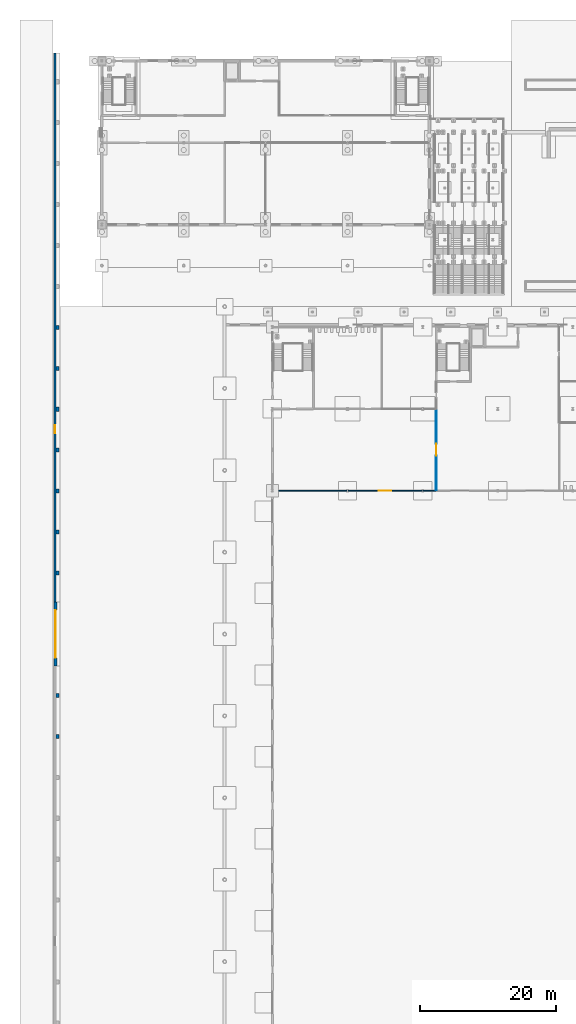
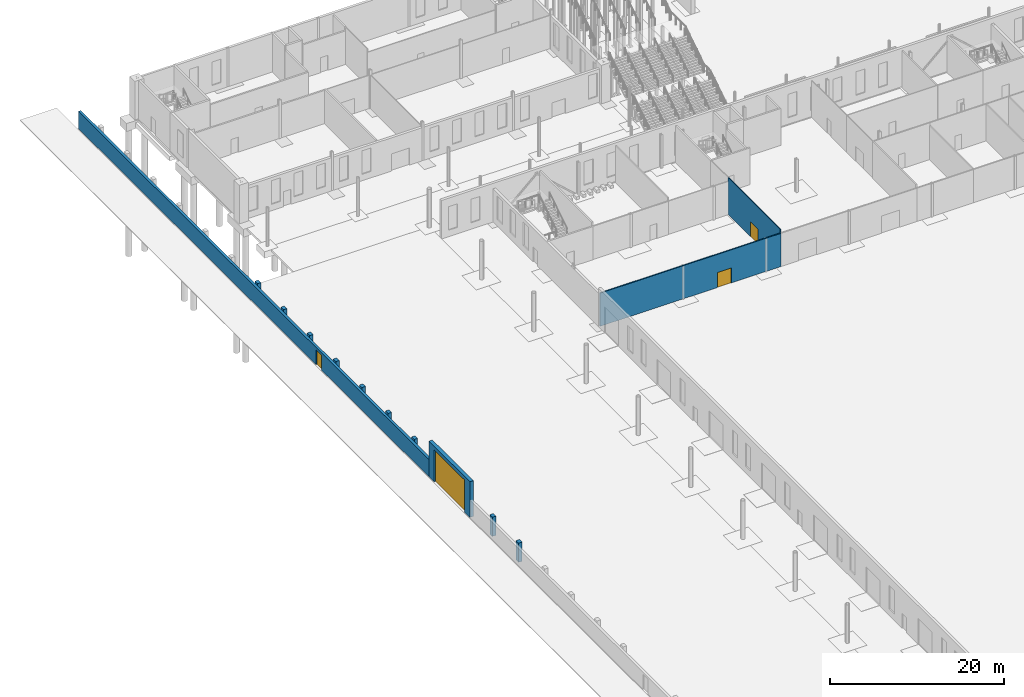
# One storey, part 70 of 132: 13 walls, 4 doors, 4 openings.
"""IFC4 building model written with IfcOpenShell, lengths in metres."""

from ifc_helpers import new_model, si_unit, direction, frame, frame_2d, origin, place, context, subcontext, project, spatial, rectangle, extrude, material, layer, layer_set, type_object, element, fill, save


model = new_model("IFC4")

# Units and contexts
model_context = context("Model", 3, precision=1e-05, world=origin(), true_north=direction((0.0, 1.0)))
body_context = subcontext(model_context, "Body", "Model", "MODEL_VIEW")
ifc_project = project(units=[si_unit("LENGTHUNIT", "METRE"), si_unit("AREAUNIT", "SQUARE_METRE"), si_unit("VOLUMEUNIT", "CUBIC_METRE"), si_unit("PLANEANGLEUNIT", "RADIAN"), si_unit("MASSUNIT", "GRAM", prefix="KILO")], contexts=[model_context])

# Site, building, storey
site_placement = place(None, origin())
site = spatial("IfcSite", under=ifc_project, at=site_placement, CompositionType="ELEMENT")
building_placement = place(site_placement, origin())
building = spatial("IfcBuilding", under=site, at=building_placement, Name="Ravi Spectrum Wholesale Market", CompositionType="ELEMENT")
storey_placement = place(building_placement, origin())
storey = spatial("IfcBuildingStorey", under=building, at=storey_placement, Name="L00", CompositionType="ELEMENT", Elevation=0.0)

# Wall, opening, door
ifc_material_1 = material(Name="Concrete blockwork", Category="masonry")
ifc_layer_1 = layer(ifc_material_1, 0.14990234375)
ifc_layer_set_1 = layer_set([ifc_layer_1], Name="Concrete blockwork")
wall_type_1 = type_object("IfcWallType", Name="Blockwork partition 150", PredefinedType="PARTITIONING", material=ifc_layer_set_1)
wall_1_placement = place(storey_placement, frame((37.0, 171.0, 0.0), z_axis=(0.0, 0.0, 1.0), x_axis=(1.0, 0.0, 0.0)))
wall_1 = element("IfcWall", 1, at=wall_1_placement, inside=storey, type_object=wall_type_1, Name="H1-WL-L00-029", PredefinedType="PARTITIONING", context=body_context, shape_type="SweptSolid", body=[
    extrude(rectangle(XDim=24.0, YDim=0.14990234375, at=frame_2d((12.0, 0.0))), origin(), (0.0, 0.0, 1.0), 4.64990234375),
])
opening_1_placement = place(wall_1_placement, frame((15.60009765625, 0.0, 0.0)))
opening_1 = element("IfcOpeningElement", 2, at=opening_1_placement, cuts=wall_1, Name="Opening D149", PredefinedType="OPENING", context=body_context, shape_type="SweptSolid", body=[
    extrude(rectangle(XDim=1.800048828125, YDim=2.10009765625, at=frame_2d((0.89990234375, 1.050048828125))), frame((0.0, 0.0849609375, 0.0), z_axis=(0.0, -1.0, 0.0), x_axis=(1.0, 0.0, 0.0)), (0.0, 0.0, 1.0), 0.169921875),
])
ifc_material_2 = material(Name="Steel door", Category="steel")
door_type_1 = type_object("IfcDoorType", Name="Double leaf door 1800 x 2100", OperationType="DOUBLE_DOOR_SINGLE_SWING", PredefinedType="DOOR", material=ifc_material_2)
door_1_placement = place(opening_1_placement, origin())
door_1 = element("IfcDoor", 3, at=door_1_placement, inside=storey, type_object=door_type_1, Name="Door D149", OperationType="DOUBLE_DOOR_SINGLE_SWING", OverallHeight=2.10009765625, OverallWidth=1.800048828125, PredefinedType="DOOR", context=body_context, shape_type="SweptSolid", body=[
    extrude(rectangle(XDim=1.800048828125, YDim=2.10009765625, at=frame_2d((0.89990234375, 1.050048828125))), frame((0.0, 0.02490234375, 0.0), z_axis=(0.0, -1.0, 0.0), x_axis=(1.0, 0.0, 0.0)), (0.0, 0.0, 1.0), 0.050048828125),
])
fill(opening_1, door_1)

ifc_material_3 = material(Name="Facing brickwork", Category="masonry")
ifc_layer_2 = layer(ifc_material_3, 0.340087890625)
ifc_layer_set_2 = layer_set([ifc_layer_2], Name="Facing brickwork")
wall_type_2 = type_object("IfcWallType", Name="Boundary wall 340 facing brick", PredefinedType="SOLIDWALL", material=ifc_layer_set_2)
wall_2_placement = place(storey_placement, frame((5.1201171875, 154.699951171875, 0.0), z_axis=(0.0, 0.0, 1.0), x_axis=(0.0, 1.0, 0.0)))
wall_2 = element("IfcWall", 4, at=wall_2_placement, inside=storey, type_object=wall_type_2, Name="ST-WL-L00-024", PredefinedType="SOLIDWALL", context=body_context, shape_type="SweptSolid", body=[
    extrude(rectangle(XDim=80.5, YDim=0.340087890625, at=frame_2d((40.25, 0.0))), origin(), (0.0, 0.0, 1.0), 2.39990234375),
])
opening_2_placement = place(wall_2_placement, frame((24.699951171875, 0.0, 0.0)))
opening_2 = element("IfcOpeningElement", 5, at=opening_2_placement, cuts=wall_2, Name="Opening D753", PredefinedType="OPENING", context=body_context, shape_type="SweptSolid", body=[
    extrude(rectangle(XDim=1.199951171875, YDim=2.10009765625, at=frame_2d((0.60009765625, 1.050048828125))), frame((0.0, 0.179931640625, 0.0), z_axis=(0.0, -1.0, 0.0), x_axis=(1.0, 0.0, 0.0)), (0.0, 0.0, 1.0), 0.360107421875),
])
ifc_material_4 = material(Name="Steel gate", Category="steel")
door_type_2 = type_object("IfcDoorType", Name="Pedestrian gate 1200 x 2100", OperationType="SINGLE_SWING_LEFT", PredefinedType="GATE", material=ifc_material_4)
door_2_placement = place(opening_2_placement, origin())
door_2 = element("IfcDoor", 6, at=door_2_placement, inside=storey, type_object=door_type_2, Name="Door D753", OperationType="SINGLE_SWING_RIGHT", OverallHeight=2.10009765625, OverallWidth=1.199951171875, PredefinedType="GATE", context=body_context, shape_type="SweptSolid", body=[
    extrude(rectangle(XDim=1.199951171875, YDim=2.10009765625, at=frame_2d((0.60009765625, 1.050048828125))), frame((0.0, 0.02490234375, 0.0), z_axis=(0.0, -1.0, 0.0), x_axis=(1.0, 0.0, 0.0)), (0.0, 0.0, 1.0), 0.050048828125),
])
fill(opening_2, door_2)

ifc_material_5 = material(Name="Clinker brickwork", Category="masonry")
ifc_layer_3 = layer(ifc_material_5, 0.4599609375)
ifc_layer_set_3 = layer_set([ifc_layer_3], Name="Clinker brickwork")
wall_type_3 = type_object("IfcWallType", Name="Brick 460 pier wall", PredefinedType="SOLIDWALL", material=ifc_layer_set_3)
wall_3_placement = place(storey_placement, frame((5.179931640625, 145.300048828125, 0.0), z_axis=(0.0, 0.0, 1.0), x_axis=(0.0, 1.0, 0.0)))
wall_3 = element("IfcWall", 7, at=wall_3_placement, inside=storey, type_object=wall_type_3, Name="ST-WL-L00-002", PredefinedType="SOLIDWALL", context=body_context, shape_type="SweptSolid", body=[
    extrude(rectangle(XDim=9.39990234375, YDim=0.4599609375, at=frame_2d((4.699951171875, 0.0))), origin(), (0.0, 0.0, 1.0), 5.0),
])
opening_3_placement = place(wall_3_placement, frame((1.199951171875, 0.0, 0.0)))
opening_3 = element("IfcOpeningElement", 8, at=opening_3_placement, cuts=wall_3, Name="Opening D751", PredefinedType="OPENING", context=body_context, shape_type="SweptSolid", body=[
    extrude(rectangle(XDim=7.0, YDim=4.5, at=frame_2d((3.5, 2.25))), frame((0.0, 0.239990234375, 0.0), z_axis=(0.0, -1.0, 0.0), x_axis=(1.0, 0.0, 0.0)), (0.0, 0.0, 1.0), 0.47998046875),
])
ifc_material_6 = material(Name="Steel gate", Category="steel")
door_type_3 = type_object("IfcDoorType", Name="Sliding truck gate 7000 x 4500", OperationType="SLIDING_TO_LEFT", PredefinedType="GATE", material=ifc_material_6)
door_3_placement = place(opening_3_placement, origin())
door_3 = element("IfcDoor", 9, at=door_3_placement, inside=storey, type_object=door_type_3, Name="Gate D751", OperationType="SLIDING_TO_LEFT", OverallHeight=4.5, OverallWidth=7.0, PredefinedType="GATE", context=body_context, shape_type="SweptSolid", body=[
    extrude(rectangle(XDim=7.0, YDim=4.5, at=frame_2d((3.5, 2.25))), frame((0.0, 0.02490234375, 0.0), z_axis=(0.0, -1.0, 0.0), x_axis=(1.0, 0.0, 0.0)), (0.0, 0.0, 1.0), 0.050048828125),
])
fill(opening_3, door_3)

# Walls
for number, where, z_axis, x_axis, name in (
    (10, (5.52001953125, 134.699951171875, 0.0), (0.0, 0.0, 1.0), (0.0, 1.0, 0.0), "ST-WL-L00-022"),
    (11, (5.52001953125, 140.699951171875, 0.0), (0.0, 0.0, 1.0), (0.0, 1.0, 0.0), "ST-WL-L00-023"),
    (12, (5.52001953125, 158.64990234375, 0.0), (0.0, 0.0, 1.0), (0.0, 1.0, 0.0), "ST-WL-L00-025"),
    (13, (5.52001953125, 164.64990234375, 0.0), (0.0, 0.0, 1.0), (0.0, 1.0, 0.0), "ST-WL-L00-026"),
    (14, (5.52001953125, 170.64990234375, 0.0), (0.0, 0.0, 1.0), (0.0, 1.0, 0.0), "ST-WL-L00-027"),
    (15, (5.52001953125, 176.64990234375, 0.0), (0.0, 0.0, 1.0), (0.0, 1.0, 0.0), "ST-WL-L00-028"),
    (16, (5.52001953125, 182.64990234375, 0.0), (0.0, 0.0, 1.0), (0.0, 1.0, 0.0), "ST-WL-L00-029"),
    (17, (5.52001953125, 188.64990234375, 0.0), (0.0, 0.0, 1.0), (0.0, 1.0, 0.0), "ST-WL-L00-030"),
    (18, (5.52001953125, 194.64990234375, 0.0), (0.0, 0.0, 1.0), (0.0, 1.0, 0.0), "ST-WL-L00-031"),
):
    element("IfcWall", number, at=place(storey_placement, frame(where, z_axis=z_axis, x_axis=x_axis)), inside=storey, type_object=wall_type_3, Name=name, PredefinedType="SOLIDWALL", context=body_context, shape_type="SweptSolid", body=[
        extrude(rectangle(XDim=0.60009765625, YDim=0.4599609375, at=frame_2d((0.300048828125, 0.0))), origin(), (0.0, 0.0, 1.0), 2.699951171875),
    ])

# Wall, opening, door
ifc_material_7 = material(Name="Gypsum board partition")
ifc_layer_4 = layer(ifc_material_7, 0.10009765625)
ifc_layer_set_4 = layer_set([ifc_layer_4], Name="Gypsum board partition")
wall_type_4 = type_object("IfcWallType", Name="Drywall partition 100", PredefinedType="PARTITIONING", material=ifc_layer_set_4)
wall_4_placement = place(storey_placement, frame((61.0, 171.074951171875, 0.0), z_axis=(0.0, 0.0, 1.0), x_axis=(0.0, 1.0, 0.0)))
wall_4 = element("IfcWall", 19, at=wall_4_placement, inside=storey, type_object=wall_type_4, Name="H1-WL-L00-049", PredefinedType="PARTITIONING", context=body_context, shape_type="SweptSolid", body=[
    extrude(rectangle(XDim=11.925048828125, YDim=0.10009765625, at=frame_2d((5.96240234375, 0.0))), origin(), (0.0, 0.0, 1.0), 5.14990234375),
])
opening_4_placement = place(wall_4_placement, frame((5.02490234375, 0.0, 0.0)))
opening_4 = element("IfcOpeningElement", 20, at=opening_4_placement, cuts=wall_4, Name="Opening D148", PredefinedType="OPENING", context=body_context, shape_type="SweptSolid", body=[
    extrude(rectangle(XDim=1.800048828125, YDim=2.10009765625, at=frame_2d((0.89990234375, 1.050048828125))), frame((0.0, 0.06005859375, 0.0), z_axis=(0.0, -1.0, 0.0), x_axis=(1.0, 0.0, 0.0)), (0.0, 0.0, 1.0), 0.1201171875),
])
door_4_placement = place(opening_4_placement, origin())
door_4 = element("IfcDoor", 21, at=door_4_placement, inside=storey, type_object=door_type_1, Name="Door D148", OperationType="DOUBLE_DOOR_SINGLE_SWING", OverallHeight=2.10009765625, OverallWidth=1.800048828125, PredefinedType="DOOR", context=body_context, shape_type="SweptSolid", body=[
    extrude(rectangle(XDim=1.800048828125, YDim=2.10009765625, at=frame_2d((0.89990234375, 1.050048828125))), frame((0.0, 0.02490234375, 0.0), z_axis=(0.0, -1.0, 0.0), x_axis=(1.0, 0.0, 0.0)), (0.0, 0.0, 1.0), 0.050048828125),
])
fill(opening_4, door_4)

save(model, "model.ifc")
